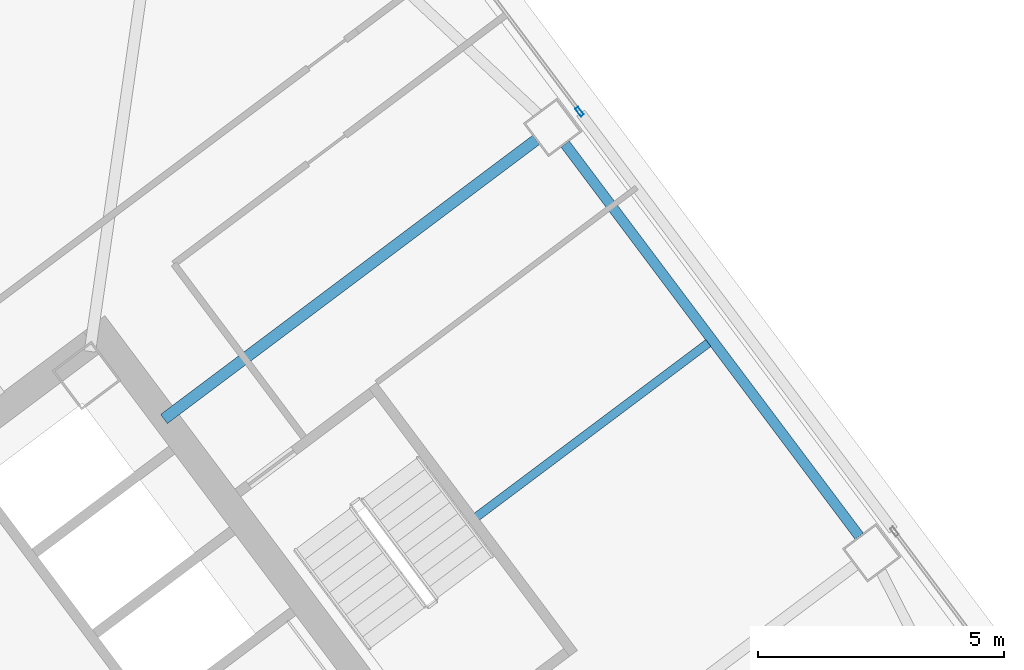
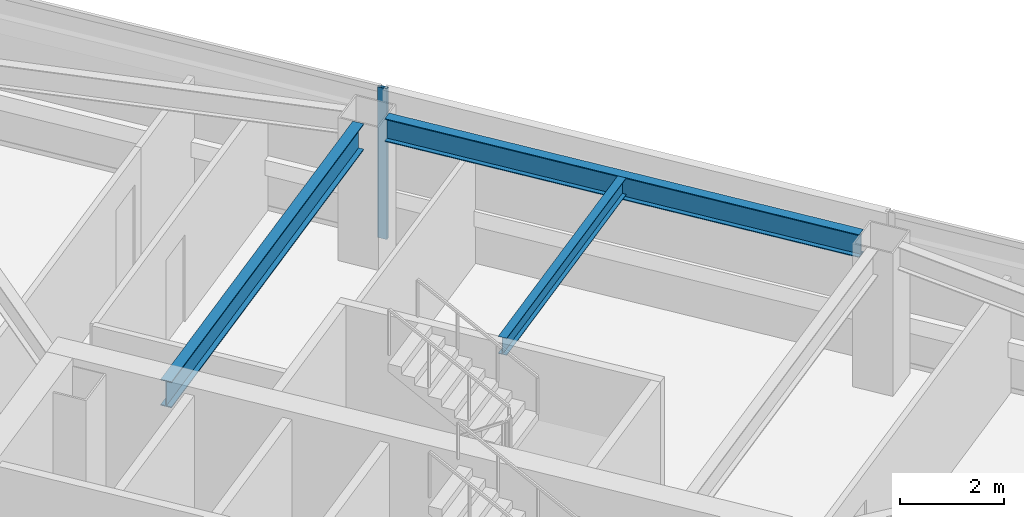
# One storey, part 28 of 41: 3 beams, 1 member, 1 element without a shape of its own.
"""IFC4 building model written with IfcOpenShell, lengths in metres."""

from ifc_helpers import new_model, si_unit, direction, frame, origin, origin_2d, place, context, subcontext, project, spatial, hollow_rectangle, i_section, extrude, material, material_profile, profile_set, type_object, element, aggregate, save


model = new_model("IFC4")

# Units and contexts
model_context = context("Model", 3, precision=1e-05, world=origin(), true_north=direction((0.0, 1.0)))
body_context = subcontext(model_context, "Body", "Model", "MODEL_VIEW")
ifc_project = project(units=[si_unit("LENGTHUNIT", "METRE"), si_unit("AREAUNIT", "SQUARE_METRE"), si_unit("VOLUMEUNIT", "CUBIC_METRE"), si_unit("PLANEANGLEUNIT", "RADIAN"), si_unit("MASSUNIT", "GRAM", prefix="KILO")], contexts=[model_context])

# Site, building, storey
site_placement = place(None, origin())
site = spatial("IfcSite", under=ifc_project, at=site_placement, CompositionType="ELEMENT")
building_placement = place(site_placement, origin())
building = spatial("IfcBuilding", under=site, at=building_placement, Name="Tashvorn Skyway Center", CompositionType="ELEMENT")
storey_placement = place(building_placement, frame((0.0, 0.0, 117.949951171875)))
storey = spatial("IfcBuildingStorey", under=building, at=storey_placement, Name="L31", CompositionType="ELEMENT", Elevation=117.949951171875)

# Beams
ifc_material_1 = material(Name="Steel ASTM A992 Grade 50", Category="steel")
ifc_material_profile_1 = material_profile(ifc_material_1, i_section(OverallWidth=0.22998046875, OverallDepth=0.616943359375, WebThickness=0.01318359375, FlangeThickness=0.022216796875, at=origin_2d()), Name="W24X94")
ifc_profile_set_1 = profile_set([ifc_material_profile_1], Name="Steel ASTM A992 Grade 50")
beam_type_1 = type_object("IfcBeamType", Name="BM-BEAM-W24X94", PredefinedType="BEAM", material=ifc_profile_set_1)
beam_1_placement = place(storey_placement, frame((124.5439453125, 46.657958984375, 3.0615234375), z_axis=(-0.800006200354, -0.599991732772, 0.0), x_axis=(0.599991732772, -0.800006200354, 0.0)))
element("IfcBeam", 1, at=beam_1_placement, inside=storey, type_object=beam_type_1, Name="Tower 2 L31 Primary Floor Girder FC-E2", PredefinedType="BEAM", context=body_context, shape_type="SweptSolid", body=[
    extrude(i_section(OverallWidth=0.22998046875, OverallDepth=0.616943359375, WebThickness=0.01318359375, FlangeThickness=0.022216796875, at=origin_2d()), origin(), (0.0, 0.0, 1.0), 9.449951171875),
])
ifc_material_profile_2 = material_profile(ifc_material_1, i_section(OverallWidth=0.177978515625, OverallDepth=0.406005859375, WebThickness=0.0078125, FlangeThickness=0.0126953125, at=origin_2d()), Name="W16X40")
ifc_profile_set_2 = profile_set([ifc_material_profile_2], Name="Steel ASTM A992 Grade 50")
beam_type_2 = type_object("IfcBeamType", Name="BM-JOIST-W16X40", PredefinedType="JOIST", material=ifc_profile_set_2)
beam_2_placement = place(storey_placement, frame((123.3359375, 39.001953125, 3.1669921875), z_axis=(0.8, 0.6, 0.0), x_axis=(-0.6, 0.8, 0.0)))
element("IfcBeam", 2, at=beam_2_placement, inside=storey, type_object=beam_type_2, Name="Tower 2 L31 Secondary Composite Joist JE", PredefinedType="JOIST", context=body_context, shape_type="SweptSolid", body=[
    extrude(i_section(OverallWidth=0.177978515625, OverallDepth=0.406005859375, WebThickness=0.0078125, FlangeThickness=0.0126953125, at=origin_2d()), origin(), (0.0, 0.0, 1.0), 5.882568359375),
])
ifc_material_profile_3 = material_profile(ifc_material_1, i_section(OverallWidth=0.2109375, OverallDepth=0.5390625, WebThickness=0.01171875, FlangeThickness=0.018798828125, at=origin_2d()), Name="W21X73")
ifc_profile_set_3 = profile_set([ifc_material_profile_3], Name="Steel ASTM A992 Grade 50")
beam_type_3 = type_object("IfcBeamType", Name="BM-SPANDREL-W21X73", PredefinedType="SPANDREL", material=ifc_profile_set_3)
beam_3_placement = place(storey_placement, frame((131.10791015625, 38.60595703125, 3.1005859375), z_axis=(-0.599988234018, 0.800008824351, 0.0), x_axis=(-0.800008824351, -0.599988234018, 0.0)))
element("IfcBeam", 3, at=beam_3_placement, inside=storey, type_object=beam_type_3, Name="Tower 2 L31 Spandrel Beam 05", PredefinedType="SPANDREL", context=body_context, shape_type="SweptSolid", body=[
    extrude(i_section(OverallWidth=0.2109375, OverallDepth=0.5390625, WebThickness=0.01171875, FlangeThickness=0.018798828125, at=origin_2d()), origin(), (0.0, 0.0, 1.0), 9.9599609375),
])

# Curtain wall, member
ifc_material_2 = material(Name="Thermally broken bronze-anodized aluminium 6063-T6", Category="aluminium")
curtain_wall_type = type_object("IfcCurtainWallType", Name="CW-CW-Z3", PredefinedType="NOTDEFINED", material=ifc_material_2)
curtain_wall_placement = place(storey_placement, origin())
curtain_wall = element("IfcCurtainWall", 4, at=curtain_wall_placement, inside=storey, type_object=curtain_wall_type, Name="Tower 2 L31 East Unitised Curtain Wall Glazing Group 1", PredefinedType="NOTDEFINED")
ifc_material_profile_4 = material_profile(ifc_material_2, hollow_rectangle(XDim=0.074951171875, YDim=0.199951171875, WallThickness=0.00439453125, at=origin_2d()), Name="ALU-MULL-75x200")
ifc_profile_set_4 = profile_set([ifc_material_profile_4], Name="Thermally broken bronze-anodized aluminium 6063-T6")
member_type = type_object("IfcMemberType", Name="CWM-CW-Z3", PredefinedType="MULLION", material=ifc_profile_set_4)
member_placement = place(storey_placement, frame((125.425537109375, 47.232666015625, 0.0), z_axis=(0.0, 0.0, 1.0), x_axis=(0.799998866489, 0.600001511345, 0.0)))
member = element("IfcMember", 5, at=member_placement, type_object=member_type, Name="CW-Z3 mullion 2", PredefinedType="MULLION", context=body_context, shape_type="SweptSolid", body=[
    extrude(hollow_rectangle(XDim=0.074951171875, YDim=0.199951171875, WallThickness=0.00439453125, at=origin_2d()), origin(), (0.0, 0.0, 1.0), 3.550048828125),
])
aggregate(curtain_wall, [member])

save(model, "model.ifc")
